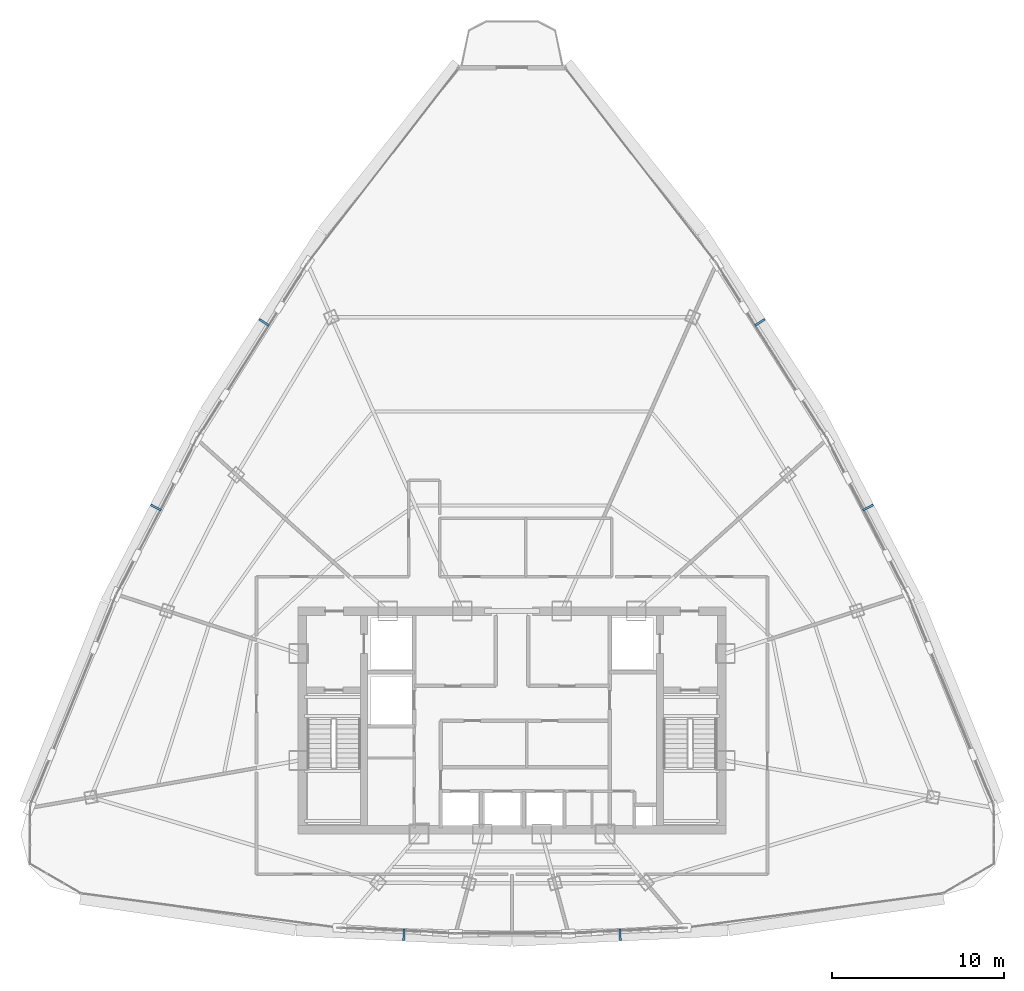
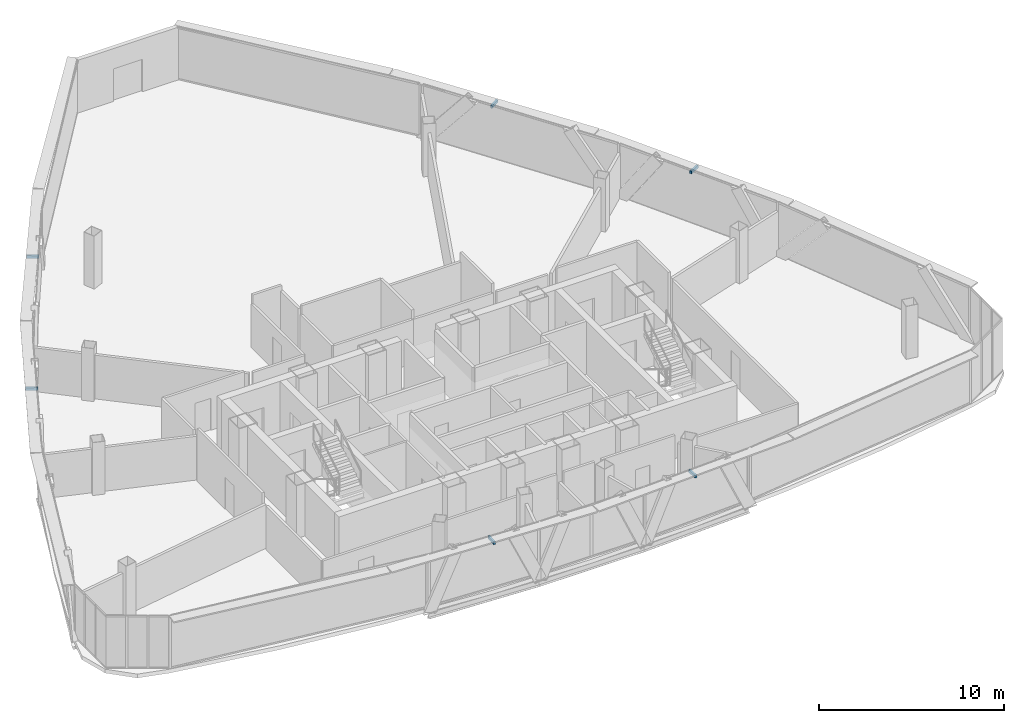
# One storey, part 25 of 28: 6 discrete accessories.
"""IFC4 building model written with IfcOpenShell, lengths in metres."""

import ifcopenshell
import ifcopenshell.guid

model = None  # the IFC model being written
_history = None  # IfcOwnerHistory: only IFC2X3 demands one
_inside = {}  # id of a spatial element -> (the spatial element, [elements in it])
_under = {}  # id of a project, library or spatial element -> (it, [spatial elements below it])
_declared = {}  # id of a project -> (the project, [libraries it declares])
_typed = {}  # id of a type object -> (the type object, [elements of that type])
_made_of = {}  # id of a material, layer set ... -> (it, [elements and type objects made of it])


def new_model(schema):
    """Start an empty IFC model of exactly this schema.

    Asked for "IFC4X3", IfcOpenShell would pick the latest addendum, in which some entities
    have other attributes; the version numbers below select the first issue.
    IFC2X3 requires an IfcOwnerHistory on every rooted entity: one is made here for all.
    """
    global model, _history
    if schema == "IFC4X3":
        model = ifcopenshell.file(schema_version=(4, 3, 0, 0))
    else:
        model = ifcopenshell.file(schema=schema)
    _inside.clear()
    _under.clear()
    _declared.clear()
    _typed.clear()
    _made_of.clear()
    _history = None
    if model.schema == "IFC2X3":
        org = make("IfcOrganization", Name="unknown")
        user = make(
            "IfcPersonAndOrganization",
            ThePerson=make("IfcPerson", FamilyName="unknown"),
            TheOrganization=org,
        )
        app = make(
            "IfcApplication",
            ApplicationDeveloper=org,
            Version="unknown",
            ApplicationFullName="unknown",
            ApplicationIdentifier="unknown",
        )
        _history = make(
            "IfcOwnerHistory",
            OwningUser=user,
            OwningApplication=app,
            ChangeAction="ADDED",
            CreationDate=0,
        )
    return model


def make(cls, **values):
    """One entity of the class cls with the attributes given. An attribute that is None is left unset."""
    return model.create_entity(
        cls, **{name: value for name, value in values.items() if value is not None}
    )


def rooted(cls, **values):
    """An entity with a GlobalId (a new one), such as an element, a storey or a relation."""
    return make(cls, GlobalId=ifcopenshell.guid.new(), OwnerHistory=_history, **values)


def si_unit(unit_type, name, prefix=None):
    """IfcSIUnit, for example si_unit("LENGTHUNIT", "METRE", prefix="MILLI")."""
    return make("IfcSIUnit", UnitType=unit_type, Prefix=prefix, Name=name)


def assignment(units):
    """IfcUnitAssignment: the units of a project."""
    return None if units is None else make("IfcUnitAssignment", Units=units)


def point(xyz):
    """IfcCartesianPoint."""
    return None if xyz is None else make("IfcCartesianPoint", Coordinates=xyz)


def direction(xyz):
    """IfcDirection."""
    return None if xyz is None else make("IfcDirection", DirectionRatios=xyz)


def frame(location, z_axis=None, x_axis=None):
    """IfcAxis2Placement3D, a coordinate frame: its origin and axes. An axis left out is left unset."""
    return make(
        "IfcAxis2Placement3D",
        Location=point(location),
        Axis=direction(z_axis),
        RefDirection=direction(x_axis),
    )


def frame_2d(location, x_axis=None):
    """IfcAxis2Placement2D, a coordinate frame in the plane: its origin and x axis."""
    return make(
        "IfcAxis2Placement2D", Location=point(location), RefDirection=direction(x_axis)
    )


def origin():
    """The frame at (0, 0, 0) with its axes left unset."""
    return frame((0.0, 0.0, 0.0))


def origin_2d():
    """The frame at (0, 0) in the plane with its x axis left unset."""
    return frame_2d((0.0, 0.0))


def place(relative_to, where):
    """IfcLocalPlacement: puts the frame where relative to a parent placement (None: the world)."""
    return make(
        "IfcLocalPlacement", PlacementRelTo=relative_to, RelativePlacement=where
    )


def context(
    kind, dimensions, precision=None, world=None, true_north=None, identifier=None
):
    """IfcGeometricRepresentationContext, for example the 3D "Model" context."""
    return make(
        "IfcGeometricRepresentationContext",
        ContextIdentifier=identifier,
        ContextType=kind,
        CoordinateSpaceDimension=dimensions,
        Precision=precision,
        WorldCoordinateSystem=world,
        TrueNorth=true_north,
    )


def subcontext(parent, identifier, kind, view, scale=None):
    """IfcGeometricRepresentationSubContext, for example "Body" below "Model"."""
    return make(
        "IfcGeometricRepresentationSubContext",
        ContextIdentifier=identifier,
        ContextType=kind,
        ParentContext=parent,
        TargetScale=scale,
        TargetView=view,
    )


def project(units=None, contexts=None):
    """IfcProject with its units and contexts."""
    return rooted(
        "IfcProject",
        Name="project",
        RepresentationContexts=contexts,
        UnitsInContext=assignment(units),
    )


def spatial(cls, under=None, at=None, **own):
    """A site, building, storey or space (cls), placed at a placement, below another one or the project."""
    s = rooted(cls, ObjectPlacement=at, **own)
    if under is not None:
        _under.setdefault(under.id(), (under, []))[1].append(s)
    return s


def profile(cls, at=None, kind="AREA", **sizes):
    """A parametric profile (cls). Its sizes go by their IFC names, for example OverallWidth=200.0."""
    return make(cls, ProfileType=kind, Position=at, **sizes)


def rectangle(**sizes):
    """IfcRectangleProfileDef."""
    return profile("IfcRectangleProfileDef", **sizes)


def extrude(swept, where, along, depth):
    """IfcExtrudedAreaSolid: the profile swept, set in the frame where, extruded along a direction by depth."""
    return make(
        "IfcExtrudedAreaSolid",
        SweptArea=swept,
        Position=where,
        ExtrudedDirection=direction(along),
        Depth=depth,
    )


def shape(context_of_items, identifier, shape_type, items):
    """IfcShapeRepresentation: the items that make up one representation, for example the "Body"."""
    return make(
        "IfcShapeRepresentation",
        ContextOfItems=context_of_items,
        RepresentationIdentifier=identifier,
        RepresentationType=shape_type,
        Items=items,
    )


def source(mapping_origin, context_of_items, identifier, shape_type, items):
    """IfcRepresentationMap: a shape defined once, which mapped items show again and again."""
    return make(
        "IfcRepresentationMap",
        MappingOrigin=mapping_origin,
        MappedRepresentation=shape(context_of_items, identifier, shape_type, items),
    )


def transform(
    local_origin,
    x_axis=None,
    y_axis=None,
    z_axis=None,
    scale=None,
    scale2=None,
    scale3=None,
    uniform=True,
):
    """IfcCartesianTransformationOperator3D, or its non-uniform kind. x_axis, y_axis, z_axis: its Axis1, 2, 3."""
    if uniform:
        return make(
            "IfcCartesianTransformationOperator3D",
            Axis1=direction(x_axis),
            Axis2=direction(y_axis),
            LocalOrigin=point(local_origin),
            Scale=scale,
            Axis3=direction(z_axis),
        )
    return make(
        "IfcCartesianTransformationOperator3DnonUniform",
        Axis1=direction(x_axis),
        Axis2=direction(y_axis),
        LocalOrigin=point(local_origin),
        Scale=scale,
        Axis3=direction(z_axis),
        Scale2=scale2,
        Scale3=scale3,
    )


def mapped(mapping_source, mapping_target):
    """IfcMappedItem: shows the shape of a source again, moved by a transform."""
    return make(
        "IfcMappedItem", MappingSource=mapping_source, MappingTarget=mapping_target
    )


def material(Name=None, Category=None):
    """IfcMaterial."""
    return make("IfcMaterial", Name=Name, Category=Category)


def made_of(thing, what):
    """Note that an element or type object is made of a material, layer set ...; save() writes the relation."""
    if what is not None:
        _made_of.setdefault(what.id(), (what, []))[1].append(thing)
    return thing


def type_object(cls, material=None, **own):
    """A type object (cls), such as IfcWallType, which elements share."""
    return made_of(rooted(cls, **own), material)


def element(
    cls,
    number,
    at=None,
    inside=None,
    cuts=None,
    type_object=None,
    material=None,
    context=None,
    identifier="Body",
    shape_type=None,
    held_by="IfcProductDefinitionShape",
    body=None,
    shapes=None,
    **own,
):
    """One element of the class cls, such as IfcWall. Its Tag is "e" and its number.

    at: its placement. inside: the storey or other place that contains it. cuts: it is an
    opening in that element (IfcRelVoidsElement). A single representation is given by context,
    identifier, shape_type and body (its items); several are given by shapes. held_by: the class
    of the entity that holds the representations. save() writes the other relations.
    """
    e = rooted(cls, Tag="e%d" % number, ObjectPlacement=at, **own)
    if body is not None:
        shapes = [shape(context, identifier, shape_type, body)]
    if shapes is not None:
        e.Representation = make(held_by, Representations=shapes)
    if inside is not None:
        _inside.setdefault(inside.id(), (inside, []))[1].append(e)
    if cuts is not None:
        rooted(
            "IfcRelVoidsElement", RelatingBuildingElement=cuts, RelatedOpeningElement=e
        )
    if type_object is not None:
        _typed.setdefault(type_object.id(), (type_object, []))[1].append(e)
    return made_of(e, material)


def aggregate(whole, parts):
    """IfcRelAggregates: a whole, such as a stair, and the parts it consists of."""
    return rooted("IfcRelAggregates", RelatingObject=whole, RelatedObjects=parts)


def save(model, path):
    """Write the relations noted so far, then the file.

    IfcRelAggregates (storeys below a building ...), IfcRelContainedInSpatialStructure (elements
    in a storey), IfcRelDefinesByType, IfcRelAssociatesMaterial and IfcRelDeclares: one each for
    every whole, place, type object, material and project.
    """
    for whole, parts in _under.values():
        aggregate(whole, parts)
    for where, things in _inside.values():
        rooted(
            "IfcRelContainedInSpatialStructure",
            RelatedElements=things,
            RelatingStructure=where,
        )
    for kind, things in _typed.values():
        rooted("IfcRelDefinesByType", RelatedObjects=things, RelatingType=kind)
    for what, things in _made_of.values():
        rooted("IfcRelAssociatesMaterial", RelatedObjects=things, RelatingMaterial=what)
    for by, libraries in _declared.values():
        rooted("IfcRelDeclares", RelatingContext=by, RelatedDefinitions=libraries)
    model.write(path)


model = new_model("IFC4")

# Units and contexts
model_context = context("Model", 3, precision=1e-05, world=origin(), true_north=direction((0.0, 1.0)))
body_context = subcontext(model_context, "Body", "Model", "MODEL_VIEW")
ifc_project = project(units=[si_unit("LENGTHUNIT", "METRE"), si_unit("AREAUNIT", "SQUARE_METRE"), si_unit("VOLUMEUNIT", "CUBIC_METRE"), si_unit("PLANEANGLEUNIT", "RADIAN"), si_unit("MASSUNIT", "GRAM", prefix="KILO"), si_unit("THERMODYNAMICTEMPERATUREUNIT", "KELVIN"), si_unit("POWERUNIT", "WATT")], contexts=[model_context])

# Site, building, storey
site_placement = place(None, origin())
site = spatial("IfcSite", under=ifc_project, at=site_placement, CompositionType="ELEMENT")
building_placement = place(site_placement, origin())
building = spatial("IfcBuilding", under=site, at=building_placement, Name="Yunzhuo Pagoda Commons", CompositionType="ELEMENT")
storey_placement = place(building_placement, frame((0.0, 0.0, 336.760009765625)))
storey = spatial("IfcBuildingStorey", under=building, at=storey_placement, Name="L84", CompositionType="ELEMENT", Elevation=336.760009765625)

# Discrete accessories
ifc_material = material(Name="Anodized aluminium 6063-T6", Category="aluminium")
discrete_accessory_type = type_object("IfcDiscreteAccessoryType", Name="BK-SUN1 Sunshade Outrigger Bracket", PredefinedType="BRACKET", material=ifc_material)
shared_shape = source(origin(), body_context, "Body", "SweptSolid", [
    extrude(rectangle(XDim=0.1201171875, YDim=0.679931640625, at=origin_2d()), origin(), (0.0, 0.0, 1.0), 0.179931640625),
])
for number, where, z_axis, x_axis, name in (
    (1, (41.718505859375, 21.380615234375, 3.27978515625), (0.0, 0.0, 1.0), (0.998818043775, -0.04860571396, 0.0), "L84 sunshade outrigger bracket F1.2"),
    (2, (54.281494140625, 21.380615234375, 3.27978515625), (0.0, 0.0, 1.0), (0.998818043775, 0.04860571396, 0.0), "L84 sunshade outrigger bracket F1.3"),
    (3, (68.697998046875, 46.220458984375, 3.27978515625), (0.0, 0.0, 1.0), (-0.461206683033, 0.88729273384, 0.0), "L84 sunshade outrigger bracket F2.2"),
    (4, (62.41650390625, 56.9814453125, 3.27978515625), (0.0, 0.0, 1.0), (-0.545853380833, 0.837880711458, 0.0), "L84 sunshade outrigger bracket F2.3"),
    (5, (33.58349609375, 56.9814453125, 3.27978515625), (0.0, 0.0, 1.0), (-0.545853380833, -0.837880711458, 0.0), "L84 sunshade outrigger bracket F3.2"),
    (6, (27.302001953125, 46.220458984375, 3.27978515625), (0.0, 0.0, 1.0), (-0.461206683033, -0.88729273384, 0.0), "L84 sunshade outrigger bracket F3.3"),
):
    element("IfcDiscreteAccessory", number, at=place(storey_placement, frame(where, z_axis=z_axis, x_axis=x_axis)), inside=storey, type_object=discrete_accessory_type, Name=name, PredefinedType="BRACKET", context=body_context, shape_type="MappedRepresentation", body=[
        mapped(shared_shape, transform((0.0, 0.0, 0.0), scale=1.0)),
    ])

save(model, "model.ifc")
